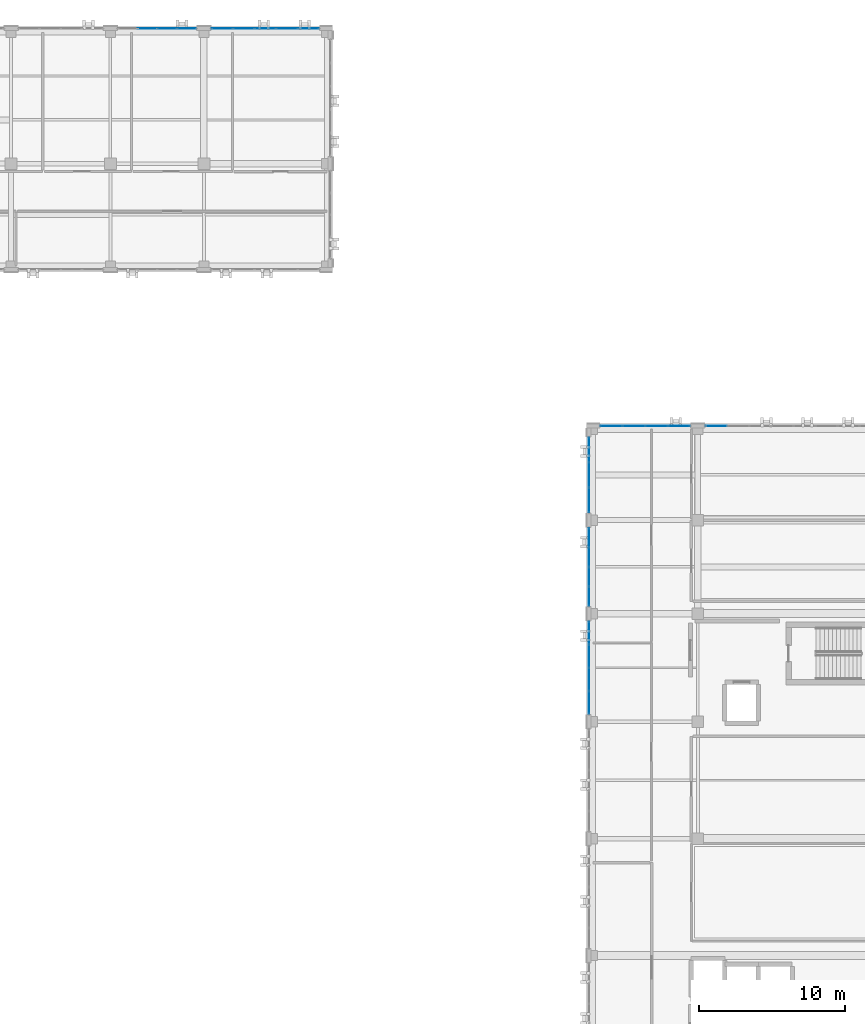
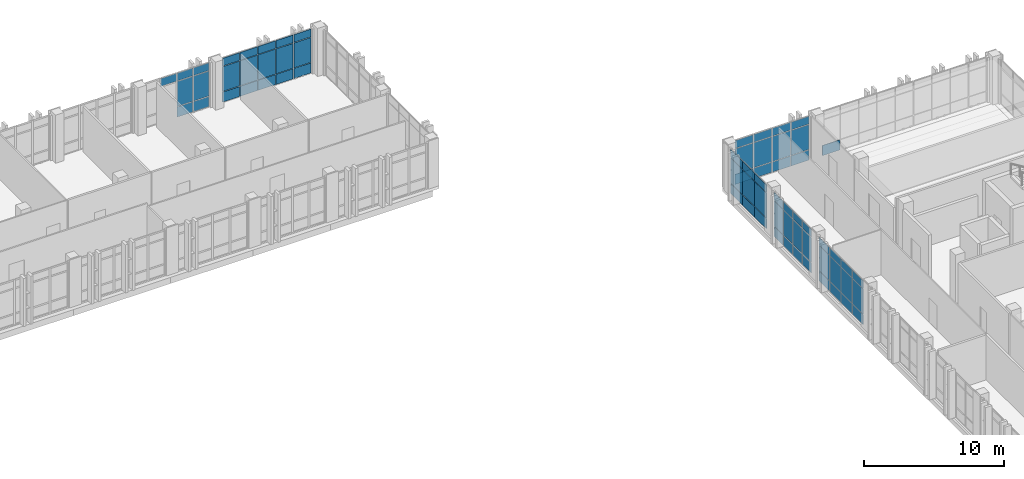
# One storey, part 128 of 165: 68 plates, 7 elements without a shape of their own.
"""IFC4 building model written with IfcOpenShell, lengths in metres."""

from ifc_helpers import new_model, si_unit, direction, frame, origin, origin_2d, place, context, subcontext, project, spatial, rectangle, extrude, material, layer, layer_set, type_object, element, aggregate, save


model = new_model("IFC4")

# Units and contexts
model_context = context("Model", 3, precision=1e-05, world=origin(), true_north=direction((0.0, 1.0)))
body_context = subcontext(model_context, "Body", "Model", "MODEL_VIEW")
ifc_project = project(units=[si_unit("LENGTHUNIT", "METRE"), si_unit("AREAUNIT", "SQUARE_METRE"), si_unit("VOLUMEUNIT", "CUBIC_METRE"), si_unit("PLANEANGLEUNIT", "RADIAN"), si_unit("MASSUNIT", "GRAM", prefix="KILO")], contexts=[model_context])

# Site, building, storey
site_placement = place(None, origin())
site = spatial("IfcSite", under=ifc_project, at=site_placement, CompositionType="ELEMENT")
building_placement = place(site_placement, origin())
building = spatial("IfcBuilding", under=site, at=building_placement, Name="Qalavern Law Courts", CompositionType="ELEMENT")
storey_placement = place(building_placement, frame((0.0, 0.0, 14.39990234375)))
storey = spatial("IfcBuildingStorey", under=building, at=storey_placement, Name="L03", CompositionType="ELEMENT", Elevation=14.39990234375)

# Curtain wall, plates
ifc_material_1 = material(Name="Anodised aluminium and insulated glazing", Category="aluminium")
ifc_layer_1 = layer(ifc_material_1, 0.172119140625)
ifc_layer_set_1 = layer_set([ifc_layer_1], Name="Anodised aluminium and insulated glazing")
curtain_wall_type_1 = type_object("IfcCurtainWallType", Name="ENV-CW-COURT", PredefinedType="USERDEFINED", material=ifc_layer_set_1)
curtain_wall_1_placement = place(storey_placement, origin())
curtain_wall_1 = element("IfcCurtainWall", 1, at=curtain_wall_1_placement, inside=storey, type_object=curtain_wall_type_1, Name="V4 unitised curtain wall L03 north 2", ObjectType="UNITISED CURTAIN WALL", PredefinedType="USERDEFINED")
ifc_material_2 = material(Name="Insulated low-E acoustic glazing", Category="glass")
ifc_layer_2 = layer(ifc_material_2, 0.02392578125)
ifc_layer_set_2 = layer_set([ifc_layer_2], Name="Insulated low-E acoustic glazing")
plate_type_1 = type_object("IfcPlateType", Name="ENV-CWP-24", PredefinedType="CURTAIN_PANEL", material=ifc_layer_set_2)
plate_1_placement = place(storey_placement, frame((90.512939453125, 85.652587890625, 0.048095703125), z_axis=(0.0, 0.0, 1.0), x_axis=(-1.0, 0.0, 0.0)))
plate_1 = element("IfcPlate", 2, at=plate_1_placement, type_object=plate_type_1, Name="CW-03 panel 1.1", PredefinedType="CURTAIN_PANEL", context=body_context, shape_type="SweptSolid", body=[
    extrude(rectangle(XDim=1.47802734375, YDim=0.02392578125, at=origin_2d()), origin(), (0.0, 0.0, 1.0), 0.8779296875),
])
plate_2_placement = place(storey_placement, frame((90.512939453125, 85.652587890625, 0.97412109375), z_axis=(0.0, 0.0, 1.0), x_axis=(-1.0, 0.0, 0.0)))
plate_2 = element("IfcPlate", 3, at=plate_2_placement, type_object=plate_type_1, Name="CW-03 panel 1.2", PredefinedType="CURTAIN_PANEL", context=body_context, shape_type="SweptSolid", body=[
    extrude(rectangle(XDim=1.47802734375, YDim=0.02392578125, at=origin_2d()), origin(), (0.0, 0.0, 1.0), 2.172119140625),
])
plate_3_placement = place(storey_placement, frame((90.512939453125, 85.652587890625, 3.1943359375), z_axis=(0.0, 0.0, 1.0), x_axis=(-1.0, 0.0, 0.0)))
plate_3 = element("IfcPlate", 4, at=plate_3_placement, type_object=plate_type_1, Name="CW-03 panel 1.3", PredefinedType="CURTAIN_PANEL", context=body_context, shape_type="SweptSolid", body=[
    extrude(rectangle(XDim=1.47802734375, YDim=0.02392578125, at=origin_2d()), origin(), (0.0, 0.0, 1.0), 0.677978515625),
])
plate_4_placement = place(storey_placement, frame((88.97509765625, 85.652587890625, 0.048095703125), z_axis=(0.0, 0.0, 1.0), x_axis=(-1.0, 0.0, 0.0)))
plate_4 = element("IfcPlate", 5, at=plate_4_placement, type_object=plate_type_1, Name="CW-03 panel 2.1", PredefinedType="CURTAIN_PANEL", context=body_context, shape_type="SweptSolid", body=[
    extrude(rectangle(XDim=1.501953125, YDim=0.02392578125, at=origin_2d()), origin(), (0.0, 0.0, 1.0), 0.8779296875),
])
plate_5_placement = place(storey_placement, frame((88.97509765625, 85.652587890625, 0.97412109375), z_axis=(0.0, 0.0, 1.0), x_axis=(-1.0, 0.0, 0.0)))
plate_5 = element("IfcPlate", 6, at=plate_5_placement, type_object=plate_type_1, Name="CW-03 panel 2.2", PredefinedType="CURTAIN_PANEL", context=body_context, shape_type="SweptSolid", body=[
    extrude(rectangle(XDim=1.501953125, YDim=0.02392578125, at=origin_2d()), origin(), (0.0, 0.0, 1.0), 2.172119140625),
])
plate_6_placement = place(storey_placement, frame((88.97509765625, 85.652587890625, 3.1943359375), z_axis=(0.0, 0.0, 1.0), x_axis=(-1.0, 0.0, 0.0)))
plate_6 = element("IfcPlate", 7, at=plate_6_placement, type_object=plate_type_1, Name="CW-03 panel 2.3", PredefinedType="CURTAIN_PANEL", context=body_context, shape_type="SweptSolid", body=[
    extrude(rectangle(XDim=1.501953125, YDim=0.02392578125, at=origin_2d()), origin(), (0.0, 0.0, 1.0), 0.677978515625),
])
plate_7_placement = place(storey_placement, frame((87.425048828125, 85.652587890625, 0.048095703125), z_axis=(0.0, 0.0, 1.0), x_axis=(-1.0, 0.0, 0.0)))
plate_7 = element("IfcPlate", 8, at=plate_7_placement, type_object=plate_type_1, Name="CW-03 panel 3.1", PredefinedType="CURTAIN_PANEL", context=body_context, shape_type="SweptSolid", body=[
    extrude(rectangle(XDim=1.501953125, YDim=0.02392578125, at=origin_2d()), origin(), (0.0, 0.0, 1.0), 0.8779296875),
])
plate_8_placement = place(storey_placement, frame((87.425048828125, 85.652587890625, 0.97412109375), z_axis=(0.0, 0.0, 1.0), x_axis=(-1.0, 0.0, 0.0)))
plate_8 = element("IfcPlate", 9, at=plate_8_placement, type_object=plate_type_1, Name="CW-03 panel 3.2", PredefinedType="CURTAIN_PANEL", context=body_context, shape_type="SweptSolid", body=[
    extrude(rectangle(XDim=1.501953125, YDim=0.02392578125, at=origin_2d()), origin(), (0.0, 0.0, 1.0), 2.172119140625),
])
plate_9_placement = place(storey_placement, frame((87.425048828125, 85.652587890625, 3.1943359375), z_axis=(0.0, 0.0, 1.0), x_axis=(-1.0, 0.0, 0.0)))
plate_9 = element("IfcPlate", 10, at=plate_9_placement, type_object=plate_type_1, Name="CW-03 panel 3.3", PredefinedType="CURTAIN_PANEL", context=body_context, shape_type="SweptSolid", body=[
    extrude(rectangle(XDim=1.501953125, YDim=0.02392578125, at=origin_2d()), origin(), (0.0, 0.0, 1.0), 0.677978515625),
])
plate_10_placement = place(storey_placement, frame((85.886962890625, 85.652587890625, 0.048095703125), z_axis=(0.0, 0.0, 1.0), x_axis=(-1.0, 0.0, 0.0)))
plate_10 = element("IfcPlate", 11, at=plate_10_placement, type_object=plate_type_1, Name="CW-03 panel 4.1", PredefinedType="CURTAIN_PANEL", context=body_context, shape_type="SweptSolid", body=[
    extrude(rectangle(XDim=1.47802734375, YDim=0.02392578125, at=origin_2d()), origin(), (0.0, 0.0, 1.0), 0.8779296875),
])
plate_11_placement = place(storey_placement, frame((85.886962890625, 85.652587890625, 0.97412109375), z_axis=(0.0, 0.0, 1.0), x_axis=(-1.0, 0.0, 0.0)))
plate_11 = element("IfcPlate", 12, at=plate_11_placement, type_object=plate_type_1, Name="CW-03 panel 4.2", PredefinedType="CURTAIN_PANEL", context=body_context, shape_type="SweptSolid", body=[
    extrude(rectangle(XDim=1.47802734375, YDim=0.02392578125, at=origin_2d()), origin(), (0.0, 0.0, 1.0), 2.172119140625),
])
plate_12_placement = place(storey_placement, frame((85.886962890625, 85.652587890625, 3.1943359375), z_axis=(0.0, 0.0, 1.0), x_axis=(-1.0, 0.0, 0.0)))
plate_12 = element("IfcPlate", 13, at=plate_12_placement, type_object=plate_type_1, Name="CW-03 panel 4.3", PredefinedType="CURTAIN_PANEL", context=body_context, shape_type="SweptSolid", body=[
    extrude(rectangle(XDim=1.47802734375, YDim=0.02392578125, at=origin_2d()), origin(), (0.0, 0.0, 1.0), 0.677978515625),
])
aggregate(curtain_wall_1, [plate_1, plate_2, plate_3, plate_4, plate_5, plate_6, plate_7, plate_8, plate_9, plate_10, plate_11, plate_12])

curtain_wall_2_placement = place(storey_placement, origin())
curtain_wall_2 = element("IfcCurtainWall", 14, at=curtain_wall_2_placement, inside=storey, type_object=curtain_wall_type_1, Name="V4 unitised curtain wall L03 west 2", ObjectType="UNITISED CURTAIN WALL", PredefinedType="USERDEFINED")
plate_13_placement = place(storey_placement, frame((84.347412109375, 78.012939453125, 0.048095703125), z_axis=(0.0, 0.0, 1.0), x_axis=(0.0, -1.0, 0.0)))
plate_13 = element("IfcPlate", 15, at=plate_13_placement, type_object=plate_type_1, Name="CW-03 panel 1.1", PredefinedType="CURTAIN_PANEL", context=body_context, shape_type="SweptSolid", body=[
    extrude(rectangle(XDim=1.278076171875, YDim=0.02392578125, at=origin_2d()), origin(), (0.0, 0.0, 1.0), 0.8779296875),
])
plate_14_placement = place(storey_placement, frame((84.347412109375, 78.012939453125, 0.97412109375), z_axis=(0.0, 0.0, 1.0), x_axis=(0.0, -1.0, 0.0)))
plate_14 = element("IfcPlate", 16, at=plate_14_placement, type_object=plate_type_1, Name="CW-03 panel 1.2", PredefinedType="CURTAIN_PANEL", context=body_context, shape_type="SweptSolid", body=[
    extrude(rectangle(XDim=1.278076171875, YDim=0.02392578125, at=origin_2d()), origin(), (0.0, 0.0, 1.0), 2.172119140625),
])
plate_15_placement = place(storey_placement, frame((84.347412109375, 78.012939453125, 3.1943359375), z_axis=(0.0, 0.0, 1.0), x_axis=(0.0, -1.0, 0.0)))
plate_15 = element("IfcPlate", 17, at=plate_15_placement, type_object=plate_type_1, Name="CW-03 panel 1.3", PredefinedType="CURTAIN_PANEL", context=body_context, shape_type="SweptSolid", body=[
    extrude(rectangle(XDim=1.278076171875, YDim=0.02392578125, at=origin_2d()), origin(), (0.0, 0.0, 1.0), 0.677978515625),
])
plate_16_placement = place(storey_placement, frame((84.347412109375, 76.675048828125, 0.048095703125), z_axis=(0.0, 0.0, 1.0), x_axis=(0.0, -1.0, 0.0)))
plate_16 = element("IfcPlate", 18, at=plate_16_placement, type_object=plate_type_1, Name="CW-03 panel 2.1", PredefinedType="CURTAIN_PANEL", context=body_context, shape_type="SweptSolid", body=[
    extrude(rectangle(XDim=1.302001953125, YDim=0.02392578125, at=origin_2d()), origin(), (0.0, 0.0, 1.0), 0.8779296875),
])
plate_17_placement = place(storey_placement, frame((84.347412109375, 76.675048828125, 0.97412109375), z_axis=(0.0, 0.0, 1.0), x_axis=(0.0, -1.0, 0.0)))
plate_17 = element("IfcPlate", 19, at=plate_17_placement, type_object=plate_type_1, Name="CW-03 panel 2.2", PredefinedType="CURTAIN_PANEL", context=body_context, shape_type="SweptSolid", body=[
    extrude(rectangle(XDim=1.302001953125, YDim=0.02392578125, at=origin_2d()), origin(), (0.0, 0.0, 1.0), 2.172119140625),
])
plate_18_placement = place(storey_placement, frame((84.347412109375, 76.675048828125, 3.1943359375), z_axis=(0.0, 0.0, 1.0), x_axis=(0.0, -1.0, 0.0)))
plate_18 = element("IfcPlate", 20, at=plate_18_placement, type_object=plate_type_1, Name="CW-03 panel 2.3", PredefinedType="CURTAIN_PANEL", context=body_context, shape_type="SweptSolid", body=[
    extrude(rectangle(XDim=1.302001953125, YDim=0.02392578125, at=origin_2d()), origin(), (0.0, 0.0, 1.0), 0.677978515625),
])
plate_19_placement = place(storey_placement, frame((84.347412109375, 75.324951171875, 0.048095703125), z_axis=(0.0, 0.0, 1.0), x_axis=(0.0, -1.0, 0.0)))
plate_19 = element("IfcPlate", 21, at=plate_19_placement, type_object=plate_type_1, Name="CW-03 panel 3.1", PredefinedType="CURTAIN_PANEL", context=body_context, shape_type="SweptSolid", body=[
    extrude(rectangle(XDim=1.302001953125, YDim=0.02392578125, at=origin_2d()), origin(), (0.0, 0.0, 1.0), 0.8779296875),
])
plate_20_placement = place(storey_placement, frame((84.347412109375, 75.324951171875, 0.97412109375), z_axis=(0.0, 0.0, 1.0), x_axis=(0.0, -1.0, 0.0)))
plate_20 = element("IfcPlate", 22, at=plate_20_placement, type_object=plate_type_1, Name="CW-03 panel 3.2", PredefinedType="CURTAIN_PANEL", context=body_context, shape_type="SweptSolid", body=[
    extrude(rectangle(XDim=1.302001953125, YDim=0.02392578125, at=origin_2d()), origin(), (0.0, 0.0, 1.0), 2.172119140625),
])
plate_21_placement = place(storey_placement, frame((84.347412109375, 75.324951171875, 3.1943359375), z_axis=(0.0, 0.0, 1.0), x_axis=(0.0, -1.0, 0.0)))
plate_21 = element("IfcPlate", 23, at=plate_21_placement, type_object=plate_type_1, Name="CW-03 panel 3.3", PredefinedType="CURTAIN_PANEL", context=body_context, shape_type="SweptSolid", body=[
    extrude(rectangle(XDim=1.302001953125, YDim=0.02392578125, at=origin_2d()), origin(), (0.0, 0.0, 1.0), 0.677978515625),
])
plate_22_placement = place(storey_placement, frame((84.347412109375, 73.987060546875, 0.048095703125), z_axis=(0.0, 0.0, 1.0), x_axis=(0.0, -1.0, 0.0)))
plate_22 = element("IfcPlate", 24, at=plate_22_placement, type_object=plate_type_1, Name="CW-03 panel 4.1", PredefinedType="CURTAIN_PANEL", context=body_context, shape_type="SweptSolid", body=[
    extrude(rectangle(XDim=1.278076171875, YDim=0.02392578125, at=origin_2d()), origin(), (0.0, 0.0, 1.0), 0.8779296875),
])
plate_23_placement = place(storey_placement, frame((84.347412109375, 73.987060546875, 0.97412109375), z_axis=(0.0, 0.0, 1.0), x_axis=(0.0, -1.0, 0.0)))
plate_23 = element("IfcPlate", 25, at=plate_23_placement, type_object=plate_type_1, Name="CW-03 panel 4.2", PredefinedType="CURTAIN_PANEL", context=body_context, shape_type="SweptSolid", body=[
    extrude(rectangle(XDim=1.278076171875, YDim=0.02392578125, at=origin_2d()), origin(), (0.0, 0.0, 1.0), 2.172119140625),
])
plate_24_placement = place(storey_placement, frame((84.347412109375, 73.987060546875, 3.1943359375), z_axis=(0.0, 0.0, 1.0), x_axis=(0.0, -1.0, 0.0)))
plate_24 = element("IfcPlate", 26, at=plate_24_placement, type_object=plate_type_1, Name="CW-03 panel 4.3", PredefinedType="CURTAIN_PANEL", context=body_context, shape_type="SweptSolid", body=[
    extrude(rectangle(XDim=1.278076171875, YDim=0.02392578125, at=origin_2d()), origin(), (0.0, 0.0, 1.0), 0.677978515625),
])
aggregate(curtain_wall_2, [plate_13, plate_14, plate_15, plate_16, plate_17, plate_18, plate_19, plate_20, plate_21, plate_22, plate_23, plate_24])

ifc_layer_3 = layer(ifc_material_1, 0.166015625)
ifc_layer_set_3 = layer_set([ifc_layer_3], Name="Anodised aluminium and insulated glazing")
curtain_wall_type_2 = type_object("IfcCurtainWallType", Name="ENV-CW-LIB", PredefinedType="USERDEFINED", material=ifc_layer_set_3)
curtain_wall_3_placement = place(storey_placement, origin())
curtain_wall_3 = element("IfcCurtainWall", 27, at=curtain_wall_3_placement, inside=storey, type_object=curtain_wall_type_2, Name="V5 unitised curtain wall L03 north 2", ObjectType="UNITISED CURTAIN WALL", PredefinedType="USERDEFINED")
plate_25_placement = place(storey_placement, frame((56.81298828125, 112.8525390625, 0.048095703125), z_axis=(0.0, 0.0, 1.0), x_axis=(-1.0, 0.0, 0.0)))
plate_25 = element("IfcPlate", 28, at=plate_25_placement, type_object=plate_type_1, Name="CW-05 panel 1.1", PredefinedType="CURTAIN_PANEL", context=body_context, shape_type="SweptSolid", body=[
    extrude(rectangle(XDim=1.278076171875, YDim=0.02392578125, at=origin_2d()), origin(), (0.0, 0.0, 1.0), 0.8779296875),
])
plate_26_placement = place(storey_placement, frame((56.81298828125, 112.8525390625, 0.97412109375), z_axis=(0.0, 0.0, 1.0), x_axis=(-1.0, 0.0, 0.0)))
plate_26 = element("IfcPlate", 29, at=plate_26_placement, type_object=plate_type_1, Name="CW-05 panel 1.2", PredefinedType="CURTAIN_PANEL", context=body_context, shape_type="SweptSolid", body=[
    extrude(rectangle(XDim=1.278076171875, YDim=0.02392578125, at=origin_2d()), origin(), (0.0, 0.0, 1.0), 2.172119140625),
])
plate_27_placement = place(storey_placement, frame((56.81298828125, 112.8525390625, 3.1943359375), z_axis=(0.0, 0.0, 1.0), x_axis=(-1.0, 0.0, 0.0)))
plate_27 = element("IfcPlate", 30, at=plate_27_placement, type_object=plate_type_1, Name="CW-05 panel 1.3", PredefinedType="CURTAIN_PANEL", context=body_context, shape_type="SweptSolid", body=[
    extrude(rectangle(XDim=1.278076171875, YDim=0.02392578125, at=origin_2d()), origin(), (0.0, 0.0, 1.0), 0.677978515625),
])
plate_28_placement = place(storey_placement, frame((55.47509765625, 112.8525390625, 0.048095703125), z_axis=(0.0, 0.0, 1.0), x_axis=(-1.0, 0.0, 0.0)))
plate_28 = element("IfcPlate", 31, at=plate_28_placement, type_object=plate_type_1, Name="CW-05 panel 2.1", PredefinedType="CURTAIN_PANEL", context=body_context, shape_type="SweptSolid", body=[
    extrude(rectangle(XDim=1.302001953125, YDim=0.02392578125, at=origin_2d()), origin(), (0.0, 0.0, 1.0), 0.8779296875),
])
plate_29_placement = place(storey_placement, frame((55.47509765625, 112.8525390625, 0.97412109375), z_axis=(0.0, 0.0, 1.0), x_axis=(-1.0, 0.0, 0.0)))
plate_29 = element("IfcPlate", 32, at=plate_29_placement, type_object=plate_type_1, Name="CW-05 panel 2.2", PredefinedType="CURTAIN_PANEL", context=body_context, shape_type="SweptSolid", body=[
    extrude(rectangle(XDim=1.302001953125, YDim=0.02392578125, at=origin_2d()), origin(), (0.0, 0.0, 1.0), 2.172119140625),
])
plate_30_placement = place(storey_placement, frame((55.47509765625, 112.8525390625, 3.1943359375), z_axis=(0.0, 0.0, 1.0), x_axis=(-1.0, 0.0, 0.0)))
plate_30 = element("IfcPlate", 33, at=plate_30_placement, type_object=plate_type_1, Name="CW-05 panel 2.3", PredefinedType="CURTAIN_PANEL", context=body_context, shape_type="SweptSolid", body=[
    extrude(rectangle(XDim=1.302001953125, YDim=0.02392578125, at=origin_2d()), origin(), (0.0, 0.0, 1.0), 0.677978515625),
])
plate_31_placement = place(storey_placement, frame((54.125, 112.8525390625, 3.1943359375), z_axis=(0.0, 0.0, 1.0), x_axis=(-1.0, 0.0, 0.0)))
plate_31 = element("IfcPlate", 34, at=plate_31_placement, type_object=plate_type_1, Name="CW-05 panel 3.3", PredefinedType="CURTAIN_PANEL", context=body_context, shape_type="SweptSolid", body=[
    extrude(rectangle(XDim=1.302001953125, YDim=0.02392578125, at=origin_2d()), origin(), (0.0, 0.0, 1.0), 0.677978515625),
])
aggregate(curtain_wall_3, [plate_25, plate_26, plate_27, plate_28, plate_29, plate_30, plate_31])

curtain_wall_4_placement = place(storey_placement, origin())
curtain_wall_4 = element("IfcCurtainWall", 35, at=curtain_wall_4_placement, inside=storey, type_object=curtain_wall_type_1, Name="V4 unitised curtain wall L03 west 3", ObjectType="UNITISED CURTAIN WALL", PredefinedType="USERDEFINED")
ifc_layer_4 = layer(ifc_material_2, 0.028076171875)
ifc_layer_set_4 = layer_set([ifc_layer_4], Name="Insulated low-E acoustic glazing")
plate_type_2 = type_object("IfcPlateType", Name="ENV-CWP-28", PredefinedType="CURTAIN_PANEL", material=ifc_layer_set_4)
plate_32_placement = place(storey_placement, frame((84.347412109375, 71.488037109375, 0.048095703125), z_axis=(0.0, 0.0, 1.0), x_axis=(0.0, -1.0, 0.0)))
plate_32 = element("IfcPlate", 36, at=plate_32_placement, type_object=plate_type_2, Name="CW-03 panel 1.1", PredefinedType="CURTAIN_PANEL", context=body_context, shape_type="SweptSolid", body=[
    extrude(rectangle(XDim=1.528076171875, YDim=0.028076171875, at=origin_2d()), origin(), (0.0, 0.0, 1.0), 0.8779296875),
])
plate_33_placement = place(storey_placement, frame((84.347412109375, 71.488037109375, 0.97412109375), z_axis=(0.0, 0.0, 1.0), x_axis=(0.0, -1.0, 0.0)))
plate_33 = element("IfcPlate", 37, at=plate_33_placement, type_object=plate_type_2, Name="CW-03 panel 1.2", PredefinedType="CURTAIN_PANEL", context=body_context, shape_type="SweptSolid", body=[
    extrude(rectangle(XDim=1.528076171875, YDim=0.028076171875, at=origin_2d()), origin(), (0.0, 0.0, 1.0), 2.172119140625),
])
plate_34_placement = place(storey_placement, frame((84.347412109375, 71.488037109375, 3.1943359375), z_axis=(0.0, 0.0, 1.0), x_axis=(0.0, -1.0, 0.0)))
plate_34 = element("IfcPlate", 38, at=plate_34_placement, type_object=plate_type_2, Name="CW-03 panel 1.3", PredefinedType="CURTAIN_PANEL", context=body_context, shape_type="SweptSolid", body=[
    extrude(rectangle(XDim=1.528076171875, YDim=0.028076171875, at=origin_2d()), origin(), (0.0, 0.0, 1.0), 0.677978515625),
])
plate_35_placement = place(storey_placement, frame((84.347412109375, 69.89990234375, 0.048095703125), z_axis=(0.0, 0.0, 1.0), x_axis=(0.0, -1.0, 0.0)))
plate_35 = element("IfcPlate", 39, at=plate_35_placement, type_object=plate_type_2, Name="CW-03 panel 2.1", PredefinedType="CURTAIN_PANEL", context=body_context, shape_type="SweptSolid", body=[
    extrude(rectangle(XDim=1.552001953125, YDim=0.028076171875, at=origin_2d()), origin(), (0.0, 0.0, 1.0), 0.8779296875),
])
plate_36_placement = place(storey_placement, frame((84.347412109375, 69.89990234375, 0.97412109375), z_axis=(0.0, 0.0, 1.0), x_axis=(0.0, -1.0, 0.0)))
plate_36 = element("IfcPlate", 40, at=plate_36_placement, type_object=plate_type_2, Name="CW-03 panel 2.2", PredefinedType="CURTAIN_PANEL", context=body_context, shape_type="SweptSolid", body=[
    extrude(rectangle(XDim=1.552001953125, YDim=0.028076171875, at=origin_2d()), origin(), (0.0, 0.0, 1.0), 2.172119140625),
])
plate_37_placement = place(storey_placement, frame((84.347412109375, 69.89990234375, 3.1943359375), z_axis=(0.0, 0.0, 1.0), x_axis=(0.0, -1.0, 0.0)))
plate_37 = element("IfcPlate", 41, at=plate_37_placement, type_object=plate_type_2, Name="CW-03 panel 2.3", PredefinedType="CURTAIN_PANEL", context=body_context, shape_type="SweptSolid", body=[
    extrude(rectangle(XDim=1.552001953125, YDim=0.028076171875, at=origin_2d()), origin(), (0.0, 0.0, 1.0), 0.677978515625),
])
plate_38_placement = place(storey_placement, frame((84.347412109375, 68.300048828125, 0.048095703125), z_axis=(0.0, 0.0, 1.0), x_axis=(0.0, -1.0, 0.0)))
plate_38 = element("IfcPlate", 42, at=plate_38_placement, type_object=plate_type_2, Name="CW-03 panel 3.1", PredefinedType="CURTAIN_PANEL", context=body_context, shape_type="SweptSolid", body=[
    extrude(rectangle(XDim=1.552001953125, YDim=0.028076171875, at=origin_2d()), origin(), (0.0, 0.0, 1.0), 0.8779296875),
])
plate_39_placement = place(storey_placement, frame((84.347412109375, 68.300048828125, 0.97412109375), z_axis=(0.0, 0.0, 1.0), x_axis=(0.0, -1.0, 0.0)))
plate_39 = element("IfcPlate", 43, at=plate_39_placement, type_object=plate_type_2, Name="CW-03 panel 3.2", PredefinedType="CURTAIN_PANEL", context=body_context, shape_type="SweptSolid", body=[
    extrude(rectangle(XDim=1.552001953125, YDim=0.028076171875, at=origin_2d()), origin(), (0.0, 0.0, 1.0), 2.172119140625),
])
plate_40_placement = place(storey_placement, frame((84.347412109375, 68.300048828125, 3.1943359375), z_axis=(0.0, 0.0, 1.0), x_axis=(0.0, -1.0, 0.0)))
plate_40 = element("IfcPlate", 44, at=plate_40_placement, type_object=plate_type_2, Name="CW-03 panel 3.3", PredefinedType="CURTAIN_PANEL", context=body_context, shape_type="SweptSolid", body=[
    extrude(rectangle(XDim=1.552001953125, YDim=0.028076171875, at=origin_2d()), origin(), (0.0, 0.0, 1.0), 0.677978515625),
])
plate_41_placement = place(storey_placement, frame((84.347412109375, 66.7119140625, 0.048095703125), z_axis=(0.0, 0.0, 1.0), x_axis=(0.0, -1.0, 0.0)))
plate_41 = element("IfcPlate", 45, at=plate_41_placement, type_object=plate_type_2, Name="CW-03 panel 4.1", PredefinedType="CURTAIN_PANEL", context=body_context, shape_type="SweptSolid", body=[
    extrude(rectangle(XDim=1.528076171875, YDim=0.028076171875, at=origin_2d()), origin(), (0.0, 0.0, 1.0), 0.8779296875),
])
plate_42_placement = place(storey_placement, frame((84.347412109375, 66.7119140625, 0.97412109375), z_axis=(0.0, 0.0, 1.0), x_axis=(0.0, -1.0, 0.0)))
plate_42 = element("IfcPlate", 46, at=plate_42_placement, type_object=plate_type_2, Name="CW-03 panel 4.2", PredefinedType="CURTAIN_PANEL", context=body_context, shape_type="SweptSolid", body=[
    extrude(rectangle(XDim=1.528076171875, YDim=0.028076171875, at=origin_2d()), origin(), (0.0, 0.0, 1.0), 2.172119140625),
])
plate_43_placement = place(storey_placement, frame((84.347412109375, 66.7119140625, 3.1943359375), z_axis=(0.0, 0.0, 1.0), x_axis=(0.0, -1.0, 0.0)))
plate_43 = element("IfcPlate", 47, at=plate_43_placement, type_object=plate_type_2, Name="CW-03 panel 4.3", PredefinedType="CURTAIN_PANEL", context=body_context, shape_type="SweptSolid", body=[
    extrude(rectangle(XDim=1.528076171875, YDim=0.028076171875, at=origin_2d()), origin(), (0.0, 0.0, 1.0), 0.677978515625),
])
aggregate(curtain_wall_4, [plate_32, plate_33, plate_34, plate_35, plate_36, plate_37, plate_38, plate_39, plate_40, plate_41, plate_42, plate_43])

# Curtain wall, plate
curtain_wall_5_placement = place(storey_placement, origin())
curtain_wall_5 = element("IfcCurtainWall", 48, at=curtain_wall_5_placement, inside=storey, type_object=curtain_wall_type_1, Name="V4 unitised curtain wall L03 north 1", ObjectType="UNITISED CURTAIN WALL", PredefinedType="USERDEFINED")
ifc_layer_5 = layer(ifc_material_2, 0.052001953125)
ifc_layer_set_5 = layer_set([ifc_layer_5], Name="Insulated low-E acoustic glazing")
plate_type_3 = type_object("IfcPlateType", Name="ENV-CWP-52", PredefinedType="CURTAIN_PANEL", material=ifc_layer_set_5)
plate_44_placement = place(storey_placement, frame((93.067626953125, 85.652587890625, 0.048095703125), z_axis=(0.0, 0.0, 1.0), x_axis=(-1.0, 0.0, 0.0)))
plate_44 = element("IfcPlate", 49, at=plate_44_placement, type_object=plate_type_3, Name="CW-03 panel 9.1", PredefinedType="CURTAIN_PANEL", context=body_context, shape_type="SweptSolid", body=[
    extrude(rectangle(XDim=1.439208984375, YDim=0.052001953125, at=origin_2d()), origin(), (0.0, 0.0, 1.0), 0.8779296875),
])
aggregate(curtain_wall_5, [plate_44])

# Curtain wall, plates
curtain_wall_6_placement = place(storey_placement, origin())
curtain_wall_6 = element("IfcCurtainWall", 50, at=curtain_wall_6_placement, inside=storey, type_object=curtain_wall_type_1, Name="V4 unitised curtain wall L03 west 1", ObjectType="UNITISED CURTAIN WALL", PredefinedType="USERDEFINED")
plate_45_placement = place(storey_placement, frame((84.347412109375, 84.021240234375, 0.048095703125), z_axis=(0.0, 0.0, 1.0), x_axis=(0.0, -1.0, 0.0)))
plate_45 = element("IfcPlate", 51, at=plate_45_placement, type_object=plate_type_3, Name="CW-03 panel 1.1", PredefinedType="CURTAIN_PANEL", context=body_context, shape_type="SweptSolid", body=[
    extrude(rectangle(XDim=1.661376953125, YDim=0.052001953125, at=origin_2d()), origin(), (0.0, 0.0, 1.0), 0.8779296875),
])
plate_46_placement = place(storey_placement, frame((84.347412109375, 84.021240234375, 0.97412109375), z_axis=(0.0, 0.0, 1.0), x_axis=(0.0, -1.0, 0.0)))
plate_46 = element("IfcPlate", 52, at=plate_46_placement, type_object=plate_type_3, Name="CW-03 panel 1.2", PredefinedType="CURTAIN_PANEL", context=body_context, shape_type="SweptSolid", body=[
    extrude(rectangle(XDim=1.661376953125, YDim=0.052001953125, at=origin_2d()), origin(), (0.0, 0.0, 1.0), 2.172119140625),
])
plate_47_placement = place(storey_placement, frame((84.347412109375, 84.021240234375, 3.1943359375), z_axis=(0.0, 0.0, 1.0), x_axis=(0.0, -1.0, 0.0)))
plate_47 = element("IfcPlate", 53, at=plate_47_placement, type_object=plate_type_3, Name="CW-03 panel 1.3", PredefinedType="CURTAIN_PANEL", context=body_context, shape_type="SweptSolid", body=[
    extrude(rectangle(XDim=1.661376953125, YDim=0.052001953125, at=origin_2d()), origin(), (0.0, 0.0, 1.0), 0.677978515625),
])
plate_48_placement = place(storey_placement, frame((84.347412109375, 82.300048828125, 0.048095703125), z_axis=(0.0, 0.0, 1.0), x_axis=(0.0, -1.0, 0.0)))
plate_48 = element("IfcPlate", 54, at=plate_48_placement, type_object=plate_type_3, Name="CW-03 panel 2.1", PredefinedType="CURTAIN_PANEL", context=body_context, shape_type="SweptSolid", body=[
    extrude(rectangle(XDim=1.685302734375, YDim=0.052001953125, at=origin_2d()), origin(), (0.0, 0.0, 1.0), 0.8779296875),
])
plate_49_placement = place(storey_placement, frame((84.347412109375, 82.300048828125, 0.97412109375), z_axis=(0.0, 0.0, 1.0), x_axis=(0.0, -1.0, 0.0)))
plate_49 = element("IfcPlate", 55, at=plate_49_placement, type_object=plate_type_3, Name="CW-03 panel 2.2", PredefinedType="CURTAIN_PANEL", context=body_context, shape_type="SweptSolid", body=[
    extrude(rectangle(XDim=1.685302734375, YDim=0.052001953125, at=origin_2d()), origin(), (0.0, 0.0, 1.0), 2.172119140625),
])
plate_50_placement = place(storey_placement, frame((84.347412109375, 82.300048828125, 3.1943359375), z_axis=(0.0, 0.0, 1.0), x_axis=(0.0, -1.0, 0.0)))
plate_50 = element("IfcPlate", 56, at=plate_50_placement, type_object=plate_type_3, Name="CW-03 panel 2.3", PredefinedType="CURTAIN_PANEL", context=body_context, shape_type="SweptSolid", body=[
    extrude(rectangle(XDim=1.685302734375, YDim=0.052001953125, at=origin_2d()), origin(), (0.0, 0.0, 1.0), 0.677978515625),
])
plate_51_placement = place(storey_placement, frame((84.347412109375, 80.57861328125, 0.048095703125), z_axis=(0.0, 0.0, 1.0), x_axis=(0.0, -1.0, 0.0)))
plate_51 = element("IfcPlate", 57, at=plate_51_placement, type_object=plate_type_3, Name="CW-03 panel 3.1", PredefinedType="CURTAIN_PANEL", context=body_context, shape_type="SweptSolid", body=[
    extrude(rectangle(XDim=1.661376953125, YDim=0.052001953125, at=origin_2d()), origin(), (0.0, 0.0, 1.0), 0.8779296875),
])
plate_52_placement = place(storey_placement, frame((84.347412109375, 80.57861328125, 0.97412109375), z_axis=(0.0, 0.0, 1.0), x_axis=(0.0, -1.0, 0.0)))
plate_52 = element("IfcPlate", 58, at=plate_52_placement, type_object=plate_type_3, Name="CW-03 panel 3.2", PredefinedType="CURTAIN_PANEL", context=body_context, shape_type="SweptSolid", body=[
    extrude(rectangle(XDim=1.661376953125, YDim=0.052001953125, at=origin_2d()), origin(), (0.0, 0.0, 1.0), 2.172119140625),
])
plate_53_placement = place(storey_placement, frame((84.347412109375, 80.57861328125, 3.1943359375), z_axis=(0.0, 0.0, 1.0), x_axis=(0.0, -1.0, 0.0)))
plate_53 = element("IfcPlate", 59, at=plate_53_placement, type_object=plate_type_3, Name="CW-03 panel 3.3", PredefinedType="CURTAIN_PANEL", context=body_context, shape_type="SweptSolid", body=[
    extrude(rectangle(XDim=1.661376953125, YDim=0.052001953125, at=origin_2d()), origin(), (0.0, 0.0, 1.0), 0.677978515625),
])
aggregate(curtain_wall_6, [plate_45, plate_46, plate_47, plate_48, plate_49, plate_50, plate_51, plate_52, plate_53])

curtain_wall_7_placement = place(storey_placement, origin())
curtain_wall_7 = element("IfcCurtainWall", 60, at=curtain_wall_7_placement, inside=storey, type_object=curtain_wall_type_2, Name="V5 unitised curtain wall L03 north 1", ObjectType="UNITISED CURTAIN WALL", PredefinedType="USERDEFINED")
plate_54_placement = place(storey_placement, frame((65.14794921875, 112.8525390625, 0.048095703125), z_axis=(0.0, 0.0, 1.0), x_axis=(-1.0, 0.0, 0.0)))
plate_54 = element("IfcPlate", 61, at=plate_54_placement, type_object=plate_type_3, Name="CW-05 panel 1.1", PredefinedType="CURTAIN_PANEL", context=body_context, shape_type="SweptSolid", body=[
    extrude(rectangle(XDim=1.407958984375, YDim=0.052001953125, at=origin_2d()), origin(), (0.0, 0.0, 1.0), 0.8779296875),
])
plate_55_placement = place(storey_placement, frame((65.14794921875, 112.8525390625, 0.97412109375), z_axis=(0.0, 0.0, 1.0), x_axis=(-1.0, 0.0, 0.0)))
plate_55 = element("IfcPlate", 62, at=plate_55_placement, type_object=plate_type_3, Name="CW-05 panel 1.2", PredefinedType="CURTAIN_PANEL", context=body_context, shape_type="SweptSolid", body=[
    extrude(rectangle(XDim=1.407958984375, YDim=0.052001953125, at=origin_2d()), origin(), (0.0, 0.0, 1.0), 2.172119140625),
])
plate_56_placement = place(storey_placement, frame((65.14794921875, 112.8525390625, 3.1943359375), z_axis=(0.0, 0.0, 1.0), x_axis=(-1.0, 0.0, 0.0)))
plate_56 = element("IfcPlate", 63, at=plate_56_placement, type_object=plate_type_3, Name="CW-05 panel 1.3", PredefinedType="CURTAIN_PANEL", context=body_context, shape_type="SweptSolid", body=[
    extrude(rectangle(XDim=1.407958984375, YDim=0.052001953125, at=origin_2d()), origin(), (0.0, 0.0, 1.0), 0.677978515625),
])
plate_57_placement = place(storey_placement, frame((63.679931640625, 112.8525390625, 0.048095703125), z_axis=(0.0, 0.0, 1.0), x_axis=(-1.0, 0.0, 0.0)))
plate_57 = element("IfcPlate", 64, at=plate_57_placement, type_object=plate_type_3, Name="CW-05 panel 2.1", PredefinedType="CURTAIN_PANEL", context=body_context, shape_type="SweptSolid", body=[
    extrude(rectangle(XDim=1.431884765625, YDim=0.052001953125, at=origin_2d()), origin(), (0.0, 0.0, 1.0), 0.8779296875),
])
plate_58_placement = place(storey_placement, frame((63.679931640625, 112.8525390625, 0.97412109375), z_axis=(0.0, 0.0, 1.0), x_axis=(-1.0, 0.0, 0.0)))
plate_58 = element("IfcPlate", 65, at=plate_58_placement, type_object=plate_type_3, Name="CW-05 panel 2.2", PredefinedType="CURTAIN_PANEL", context=body_context, shape_type="SweptSolid", body=[
    extrude(rectangle(XDim=1.431884765625, YDim=0.052001953125, at=origin_2d()), origin(), (0.0, 0.0, 1.0), 2.172119140625),
])
plate_59_placement = place(storey_placement, frame((63.679931640625, 112.8525390625, 3.1943359375), z_axis=(0.0, 0.0, 1.0), x_axis=(-1.0, 0.0, 0.0)))
plate_59 = element("IfcPlate", 66, at=plate_59_placement, type_object=plate_type_3, Name="CW-05 panel 2.3", PredefinedType="CURTAIN_PANEL", context=body_context, shape_type="SweptSolid", body=[
    extrude(rectangle(XDim=1.431884765625, YDim=0.052001953125, at=origin_2d()), origin(), (0.0, 0.0, 1.0), 0.677978515625),
])
plate_60_placement = place(storey_placement, frame((62.199951171875, 112.8525390625, 0.048095703125), z_axis=(0.0, 0.0, 1.0), x_axis=(-1.0, 0.0, 0.0)))
plate_60 = element("IfcPlate", 67, at=plate_60_placement, type_object=plate_type_3, Name="CW-05 panel 3.1", PredefinedType="CURTAIN_PANEL", context=body_context, shape_type="SweptSolid", body=[
    extrude(rectangle(XDim=1.431884765625, YDim=0.052001953125, at=origin_2d()), origin(), (0.0, 0.0, 1.0), 0.8779296875),
])
plate_61_placement = place(storey_placement, frame((62.199951171875, 112.8525390625, 0.97412109375), z_axis=(0.0, 0.0, 1.0), x_axis=(-1.0, 0.0, 0.0)))
plate_61 = element("IfcPlate", 68, at=plate_61_placement, type_object=plate_type_3, Name="CW-05 panel 3.2", PredefinedType="CURTAIN_PANEL", context=body_context, shape_type="SweptSolid", body=[
    extrude(rectangle(XDim=1.431884765625, YDim=0.052001953125, at=origin_2d()), origin(), (0.0, 0.0, 1.0), 2.172119140625),
])
plate_62_placement = place(storey_placement, frame((62.199951171875, 112.8525390625, 3.1943359375), z_axis=(0.0, 0.0, 1.0), x_axis=(-1.0, 0.0, 0.0)))
plate_62 = element("IfcPlate", 69, at=plate_62_placement, type_object=plate_type_3, Name="CW-05 panel 3.3", PredefinedType="CURTAIN_PANEL", context=body_context, shape_type="SweptSolid", body=[
    extrude(rectangle(XDim=1.431884765625, YDim=0.052001953125, at=origin_2d()), origin(), (0.0, 0.0, 1.0), 0.677978515625),
])
plate_63_placement = place(storey_placement, frame((60.719970703125, 112.8525390625, 0.048095703125), z_axis=(0.0, 0.0, 1.0), x_axis=(-1.0, 0.0, 0.0)))
plate_63 = element("IfcPlate", 70, at=plate_63_placement, type_object=plate_type_3, Name="CW-05 panel 4.1", PredefinedType="CURTAIN_PANEL", context=body_context, shape_type="SweptSolid", body=[
    extrude(rectangle(XDim=1.431884765625, YDim=0.052001953125, at=origin_2d()), origin(), (0.0, 0.0, 1.0), 0.8779296875),
])
plate_64_placement = place(storey_placement, frame((60.719970703125, 112.8525390625, 0.97412109375), z_axis=(0.0, 0.0, 1.0), x_axis=(-1.0, 0.0, 0.0)))
plate_64 = element("IfcPlate", 71, at=plate_64_placement, type_object=plate_type_3, Name="CW-05 panel 4.2", PredefinedType="CURTAIN_PANEL", context=body_context, shape_type="SweptSolid", body=[
    extrude(rectangle(XDim=1.431884765625, YDim=0.052001953125, at=origin_2d()), origin(), (0.0, 0.0, 1.0), 2.172119140625),
])
plate_65_placement = place(storey_placement, frame((60.719970703125, 112.8525390625, 3.1943359375), z_axis=(0.0, 0.0, 1.0), x_axis=(-1.0, 0.0, 0.0)))
plate_65 = element("IfcPlate", 72, at=plate_65_placement, type_object=plate_type_3, Name="CW-05 panel 4.3", PredefinedType="CURTAIN_PANEL", context=body_context, shape_type="SweptSolid", body=[
    extrude(rectangle(XDim=1.431884765625, YDim=0.052001953125, at=origin_2d()), origin(), (0.0, 0.0, 1.0), 0.677978515625),
])
plate_66_placement = place(storey_placement, frame((59.251953125, 112.8525390625, 0.048095703125), z_axis=(0.0, 0.0, 1.0), x_axis=(-1.0, 0.0, 0.0)))
plate_66 = element("IfcPlate", 73, at=plate_66_placement, type_object=plate_type_3, Name="CW-05 panel 5.1", PredefinedType="CURTAIN_PANEL", context=body_context, shape_type="SweptSolid", body=[
    extrude(rectangle(XDim=1.407958984375, YDim=0.052001953125, at=origin_2d()), origin(), (0.0, 0.0, 1.0), 0.8779296875),
])
plate_67_placement = place(storey_placement, frame((59.251953125, 112.8525390625, 0.97412109375), z_axis=(0.0, 0.0, 1.0), x_axis=(-1.0, 0.0, 0.0)))
plate_67 = element("IfcPlate", 74, at=plate_67_placement, type_object=plate_type_3, Name="CW-05 panel 5.2", PredefinedType="CURTAIN_PANEL", context=body_context, shape_type="SweptSolid", body=[
    extrude(rectangle(XDim=1.407958984375, YDim=0.052001953125, at=origin_2d()), origin(), (0.0, 0.0, 1.0), 2.172119140625),
])
plate_68_placement = place(storey_placement, frame((59.251953125, 112.8525390625, 3.1943359375), z_axis=(0.0, 0.0, 1.0), x_axis=(-1.0, 0.0, 0.0)))
plate_68 = element("IfcPlate", 75, at=plate_68_placement, type_object=plate_type_3, Name="CW-05 panel 5.3", PredefinedType="CURTAIN_PANEL", context=body_context, shape_type="SweptSolid", body=[
    extrude(rectangle(XDim=1.407958984375, YDim=0.052001953125, at=origin_2d()), origin(), (0.0, 0.0, 1.0), 0.677978515625),
])
aggregate(curtain_wall_7, [plate_54, plate_55, plate_56, plate_57, plate_58, plate_59, plate_60, plate_61, plate_62, plate_63, plate_64, plate_65, plate_66, plate_67, plate_68])

save(model, "model.ifc")
